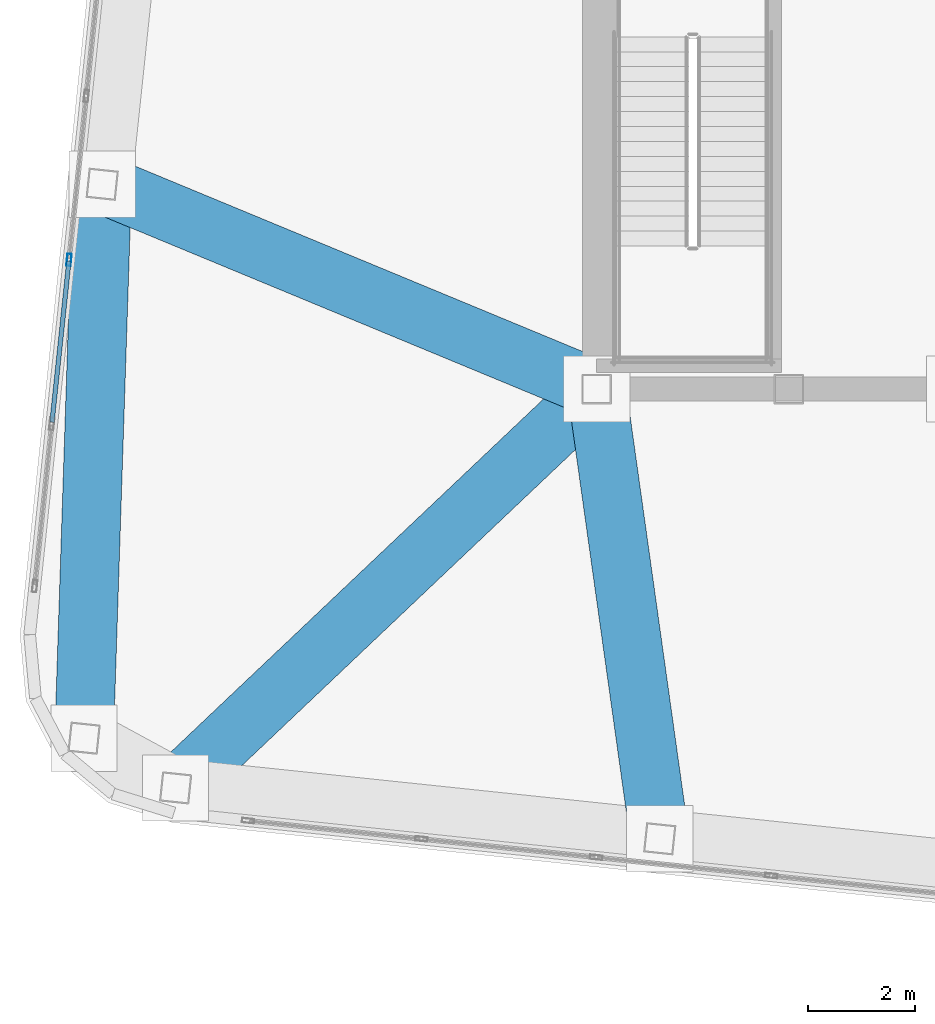
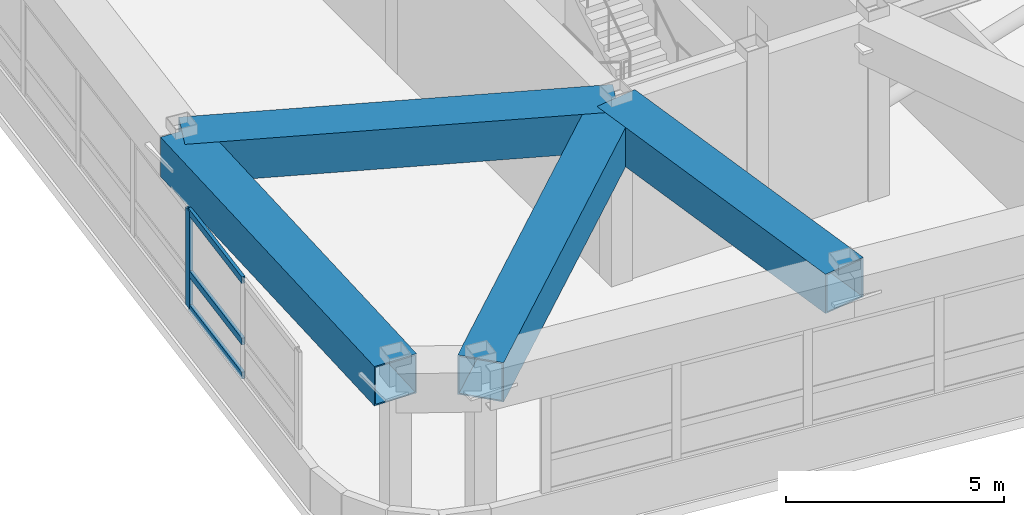
# One storey, part 3 of 23: 4 beams, 4 members, 1 element without a shape of its own.
"""IFC4 building model written with IfcOpenShell, lengths in metres."""

import ifcopenshell
import ifcopenshell.guid

model = None  # the IFC model being written
_history = None  # IfcOwnerHistory: only IFC2X3 demands one
_inside = {}  # id of a spatial element -> (the spatial element, [elements in it])
_under = {}  # id of a project, library or spatial element -> (it, [spatial elements below it])
_declared = {}  # id of a project -> (the project, [libraries it declares])
_typed = {}  # id of a type object -> (the type object, [elements of that type])
_made_of = {}  # id of a material, layer set ... -> (it, [elements and type objects made of it])


def new_model(schema):
    """Start an empty IFC model of exactly this schema.

    Asked for "IFC4X3", IfcOpenShell would pick the latest addendum, in which some entities
    have other attributes; the version numbers below select the first issue.
    IFC2X3 requires an IfcOwnerHistory on every rooted entity: one is made here for all.
    """
    global model, _history
    if schema == "IFC4X3":
        model = ifcopenshell.file(schema_version=(4, 3, 0, 0))
    else:
        model = ifcopenshell.file(schema=schema)
    _inside.clear()
    _under.clear()
    _declared.clear()
    _typed.clear()
    _made_of.clear()
    _history = None
    if model.schema == "IFC2X3":
        org = make("IfcOrganization", Name="unknown")
        user = make(
            "IfcPersonAndOrganization",
            ThePerson=make("IfcPerson", FamilyName="unknown"),
            TheOrganization=org,
        )
        app = make(
            "IfcApplication",
            ApplicationDeveloper=org,
            Version="unknown",
            ApplicationFullName="unknown",
            ApplicationIdentifier="unknown",
        )
        _history = make(
            "IfcOwnerHistory",
            OwningUser=user,
            OwningApplication=app,
            ChangeAction="ADDED",
            CreationDate=0,
        )
    return model


def make(cls, **values):
    """One entity of the class cls with the attributes given. An attribute that is None is left unset."""
    return model.create_entity(
        cls, **{name: value for name, value in values.items() if value is not None}
    )


def rooted(cls, **values):
    """An entity with a GlobalId (a new one), such as an element, a storey or a relation."""
    return make(cls, GlobalId=ifcopenshell.guid.new(), OwnerHistory=_history, **values)


def si_unit(unit_type, name, prefix=None):
    """IfcSIUnit, for example si_unit("LENGTHUNIT", "METRE", prefix="MILLI")."""
    return make("IfcSIUnit", UnitType=unit_type, Prefix=prefix, Name=name)


def assignment(units):
    """IfcUnitAssignment: the units of a project."""
    return None if units is None else make("IfcUnitAssignment", Units=units)


def point(xyz):
    """IfcCartesianPoint."""
    return None if xyz is None else make("IfcCartesianPoint", Coordinates=xyz)


def direction(xyz):
    """IfcDirection."""
    return None if xyz is None else make("IfcDirection", DirectionRatios=xyz)


def frame(location, z_axis=None, x_axis=None):
    """IfcAxis2Placement3D, a coordinate frame: its origin and axes. An axis left out is left unset."""
    return make(
        "IfcAxis2Placement3D",
        Location=point(location),
        Axis=direction(z_axis),
        RefDirection=direction(x_axis),
    )


def frame_2d(location, x_axis=None):
    """IfcAxis2Placement2D, a coordinate frame in the plane: its origin and x axis."""
    return make(
        "IfcAxis2Placement2D", Location=point(location), RefDirection=direction(x_axis)
    )


def origin():
    """The frame at (0, 0, 0) with its axes left unset."""
    return frame((0.0, 0.0, 0.0))


def origin_2d():
    """The frame at (0, 0) in the plane with its x axis left unset."""
    return frame_2d((0.0, 0.0))


def place(relative_to, where):
    """IfcLocalPlacement: puts the frame where relative to a parent placement (None: the world)."""
    return make(
        "IfcLocalPlacement", PlacementRelTo=relative_to, RelativePlacement=where
    )


def context(
    kind, dimensions, precision=None, world=None, true_north=None, identifier=None
):
    """IfcGeometricRepresentationContext, for example the 3D "Model" context."""
    return make(
        "IfcGeometricRepresentationContext",
        ContextIdentifier=identifier,
        ContextType=kind,
        CoordinateSpaceDimension=dimensions,
        Precision=precision,
        WorldCoordinateSystem=world,
        TrueNorth=true_north,
    )


def subcontext(parent, identifier, kind, view, scale=None):
    """IfcGeometricRepresentationSubContext, for example "Body" below "Model"."""
    return make(
        "IfcGeometricRepresentationSubContext",
        ContextIdentifier=identifier,
        ContextType=kind,
        ParentContext=parent,
        TargetScale=scale,
        TargetView=view,
    )


def project(units=None, contexts=None):
    """IfcProject with its units and contexts."""
    return rooted(
        "IfcProject",
        Name="project",
        RepresentationContexts=contexts,
        UnitsInContext=assignment(units),
    )


def spatial(cls, under=None, at=None, **own):
    """A site, building, storey or space (cls), placed at a placement, below another one or the project."""
    s = rooted(cls, ObjectPlacement=at, **own)
    if under is not None:
        _under.setdefault(under.id(), (under, []))[1].append(s)
    return s


def profile(cls, at=None, kind="AREA", **sizes):
    """A parametric profile (cls). Its sizes go by their IFC names, for example OverallWidth=200.0."""
    return make(cls, ProfileType=kind, Position=at, **sizes)


def hollow_rectangle(**sizes):
    """IfcRectangleHollowProfileDef."""
    return profile("IfcRectangleHollowProfileDef", **sizes)


def extrude(swept, where, along, depth):
    """IfcExtrudedAreaSolid: the profile swept, set in the frame where, extruded along a direction by depth."""
    return make(
        "IfcExtrudedAreaSolid",
        SweptArea=swept,
        Position=where,
        ExtrudedDirection=direction(along),
        Depth=depth,
    )


def shape(context_of_items, identifier, shape_type, items):
    """IfcShapeRepresentation: the items that make up one representation, for example the "Body"."""
    return make(
        "IfcShapeRepresentation",
        ContextOfItems=context_of_items,
        RepresentationIdentifier=identifier,
        RepresentationType=shape_type,
        Items=items,
    )


def material(Name=None, Category=None):
    """IfcMaterial."""
    return make("IfcMaterial", Name=Name, Category=Category)


def layer(
    of_material, thickness, ventilated=None, Name=None, Category=None, Priority=None
):
    """IfcMaterialLayer: one layer of a wall or slab, of a material (None: an air gap)."""
    return make(
        "IfcMaterialLayer",
        Material=of_material,
        LayerThickness=thickness,
        IsVentilated=ventilated,
        Name=Name,
        Category=Category,
        Priority=Priority,
    )


def layer_set(layers, Name=None):
    """IfcMaterialLayerSet."""
    return make("IfcMaterialLayerSet", MaterialLayers=layers, LayerSetName=Name)


def material_profile(
    of_material, cross_section, Name=None, Category=None, Priority=None
):
    """IfcMaterialProfile: a cross section and its material."""
    return make(
        "IfcMaterialProfile",
        Name=Name,
        Material=of_material,
        Profile=cross_section,
        Priority=Priority,
        Category=Category,
    )


def profile_set(profiles, Name=None, composite=None):
    """IfcMaterialProfileSet."""
    return make(
        "IfcMaterialProfileSet",
        Name=Name,
        MaterialProfiles=profiles,
        CompositeProfile=composite,
    )


def made_of(thing, what):
    """Note that an element or type object is made of a material, layer set ...; save() writes the relation."""
    if what is not None:
        _made_of.setdefault(what.id(), (what, []))[1].append(thing)
    return thing


def type_object(cls, material=None, **own):
    """A type object (cls), such as IfcWallType, which elements share."""
    return made_of(rooted(cls, **own), material)


def element(
    cls,
    number,
    at=None,
    inside=None,
    cuts=None,
    type_object=None,
    material=None,
    context=None,
    identifier="Body",
    shape_type=None,
    held_by="IfcProductDefinitionShape",
    body=None,
    shapes=None,
    **own,
):
    """One element of the class cls, such as IfcWall. Its Tag is "e" and its number.

    at: its placement. inside: the storey or other place that contains it. cuts: it is an
    opening in that element (IfcRelVoidsElement). A single representation is given by context,
    identifier, shape_type and body (its items); several are given by shapes. held_by: the class
    of the entity that holds the representations. save() writes the other relations.
    """
    e = rooted(cls, Tag="e%d" % number, ObjectPlacement=at, **own)
    if body is not None:
        shapes = [shape(context, identifier, shape_type, body)]
    if shapes is not None:
        e.Representation = make(held_by, Representations=shapes)
    if inside is not None:
        _inside.setdefault(inside.id(), (inside, []))[1].append(e)
    if cuts is not None:
        rooted(
            "IfcRelVoidsElement", RelatingBuildingElement=cuts, RelatedOpeningElement=e
        )
    if type_object is not None:
        _typed.setdefault(type_object.id(), (type_object, []))[1].append(e)
    return made_of(e, material)


def aggregate(whole, parts):
    """IfcRelAggregates: a whole, such as a stair, and the parts it consists of."""
    return rooted("IfcRelAggregates", RelatingObject=whole, RelatedObjects=parts)


def save(model, path):
    """Write the relations noted so far, then the file.

    IfcRelAggregates (storeys below a building ...), IfcRelContainedInSpatialStructure (elements
    in a storey), IfcRelDefinesByType, IfcRelAssociatesMaterial and IfcRelDeclares: one each for
    every whole, place, type object, material and project.
    """
    for whole, parts in _under.values():
        aggregate(whole, parts)
    for where, things in _inside.values():
        rooted(
            "IfcRelContainedInSpatialStructure",
            RelatedElements=things,
            RelatingStructure=where,
        )
    for kind, things in _typed.values():
        rooted("IfcRelDefinesByType", RelatedObjects=things, RelatingType=kind)
    for what, things in _made_of.values():
        rooted("IfcRelAssociatesMaterial", RelatedObjects=things, RelatingMaterial=what)
    for by, libraries in _declared.values():
        rooted("IfcRelDeclares", RelatingContext=by, RelatedDefinitions=libraries)
    model.write(path)


model = new_model("IFC4")

# Units and contexts
model_context = context("Model", 3, precision=1e-05, world=origin(), true_north=direction((0.0, 1.0)))
body_context = subcontext(model_context, "Body", "Model", "MODEL_VIEW")
ifc_project = project(units=[si_unit("LENGTHUNIT", "METRE"), si_unit("AREAUNIT", "SQUARE_METRE"), si_unit("VOLUMEUNIT", "CUBIC_METRE"), si_unit("PLANEANGLEUNIT", "RADIAN"), si_unit("MASSUNIT", "GRAM", prefix="KILO")], contexts=[model_context])

# Site, building, storey
site_placement = place(None, origin())
site = spatial("IfcSite", under=ifc_project, at=site_placement, CompositionType="ELEMENT")
building_placement = place(site_placement, origin())
building = spatial("IfcBuilding", under=site, at=building_placement, Name="Voryun Gate Residences", CompositionType="ELEMENT")
storey_placement = place(building_placement, frame((0.0, 0.0, 316.0)))
storey = spatial("IfcBuildingStorey", under=building, at=storey_placement, Name="L78", CompositionType="ELEMENT", Elevation=316.0)

# Beams
ifc_material_1 = material(Name="Steel SM420", Category="steel")
ifc_material_profile_1 = material_profile(ifc_material_1, hollow_rectangle(XDim=1.10009765625, YDim=1.10009765625, WallThickness=0.035888671875, at=origin_2d()), Name="BOX-1100x1100x36")
ifc_profile_set_1 = profile_set([ifc_material_profile_1], Name="Steel SM420")
beam_type = type_object("IfcBeamType", Name="BM_ARCH_RIB", PredefinedType="USERDEFINED", material=ifc_profile_set_1)
beam_1_placement = place(storey_placement, frame((-28.464111328125, -3.56201171875, 4.47509765625), z_axis=(-0.032704208853, -0.999465074289, 0.0), x_axis=(0.999465074289, -0.032704208853, 0.0)))
element("IfcBeam", 1, at=beam_1_placement, inside=storey, type_object=beam_type, Name="BM-L78-SPAND-19", ObjectType="GIRDER", PredefinedType="USERDEFINED", context=body_context, shape_type="SweptSolid", body=[
    extrude(hollow_rectangle(XDim=1.10009765625, YDim=1.10009765625, WallThickness=0.035888671875, at=origin_2d()), origin(), (0.0, 0.0, 1.0), 10.384033203125),
])
beam_2_placement = place(storey_placement, frame((-19.199951171875, -7.39990234375, 4.47509765625), z_axis=(-0.726024122139, -0.687669233042, 0.0), x_axis=(0.687669233042, -0.726024122139, 0.0)))
element("IfcBeam", 2, at=beam_2_placement, inside=storey, type_object=beam_type, Name="BM-L78-RAD-S1", ObjectType="GIRDER", PredefinedType="USERDEFINED", context=body_context, shape_type="SweptSolid", body=[
    extrude(hollow_rectangle(XDim=1.10009765625, YDim=1.10009765625, WallThickness=0.035888671875, at=origin_2d()), origin(), (0.0, 0.0, 1.0), 10.865478515625),
])
beam_3_placement = place(storey_placement, frame((-19.199951171875, -7.39990234375, 4.47509765625), z_axis=(0.138865687617, -0.990311224213, 0.0), x_axis=(0.990311224213, 0.138865687617, 0.0)))
element("IfcBeam", 3, at=beam_3_placement, inside=storey, type_object=beam_type, Name="BM-L78-RAD-S2", ObjectType="GIRDER", PredefinedType="USERDEFINED", context=body_context, shape_type="SweptSolid", body=[
    extrude(hollow_rectangle(XDim=1.10009765625, YDim=1.10009765625, WallThickness=0.035888671875, at=origin_2d()), origin(), (0.0, 0.0, 1.0), 8.507568359375),
])
beam_4_placement = place(storey_placement, frame((-19.199951171875, -7.39990234375, 4.47509765625), z_axis=(-0.923860145027, 0.382730234539, 0.0), x_axis=(-0.382730234539, -0.923860145027, 0.0)))
element("IfcBeam", 4, at=beam_4_placement, inside=storey, type_object=beam_type, Name="BM-L78-RAD-W2", ObjectType="GIRDER", PredefinedType="USERDEFINED", context=body_context, shape_type="SweptSolid", body=[
    extrude(hollow_rectangle(XDim=1.10009765625, YDim=1.10009765625, WallThickness=0.035888671875, at=origin_2d()), origin(), (0.0, 0.0, 1.0), 10.027587890625),
])

# Curtain wall, members
ifc_material_2 = material(Name="Anodised aluminium", Category="aluminium")
ifc_layer = layer(ifc_material_2, 0.22998046875, Name="CW_SYS_LANTERN_DARK_GLASS")
ifc_layer_set = layer_set([ifc_layer], Name="Anodised aluminium")
curtain_wall_type = type_object("IfcCurtainWallType", Name="CW_SYS_LANTERN_DARK_GLASS", PredefinedType="NOTDEFINED", material=ifc_layer_set)
curtain_wall_placement = place(storey_placement, origin())
curtain_wall = element("IfcCurtainWall", 5, at=curtain_wall_placement, inside=storey, type_object=curtain_wall_type, Name="Curtain wall CW6-L78-06", PredefinedType="NOTDEFINED")
ifc_material_3 = material(Name="Anodised aluminium", Category="aluminium")
ifc_material_profile_2 = material_profile(ifc_material_3, hollow_rectangle(XDim=0.0849609375, YDim=0.22998046875, WallThickness=0.006103515625, at=origin_2d()), Name="ALU-MULL-230x85x6")
ifc_profile_set_2 = profile_set([ifc_material_profile_2], Name="Anodised aluminium")
member_type_1 = type_object("IfcMemberType", Name="CW_MULL_LANT", PredefinedType="MULLION", material=ifc_profile_set_2)
member_1_placement = place(storey_placement, frame((-29.08544921875, -4.978515625, 1.18994140625), z_axis=(0.0, 0.0, 1.0), x_axis=(-0.994521943608, 0.104528004296, 0.0)))
member_1 = element("IfcMember", 6, at=member_1_placement, type_object=member_type_1, Name="CW6 mullion 3", PredefinedType="MULLION", context=body_context, shape_type="SweptSolid", body=[
    extrude(hollow_rectangle(XDim=0.0849609375, YDim=0.22998046875, WallThickness=0.006103515625, at=origin_2d()), origin(), (0.0, 0.0, 1.0), 2.72509765625),
])
ifc_material_4 = material(Name="Anodised aluminium", Category="aluminium")
ifc_material_profile_3 = material_profile(ifc_material_4, hollow_rectangle(XDim=0.0849609375, YDim=0.18994140625, WallThickness=0.006103515625, at=origin_2d()), Name="ALU-TRAN-190x85x6")
ifc_profile_set_3 = profile_set([ifc_material_profile_3], Name="Anodised aluminium")
member_type_2 = type_object("IfcMemberType", Name="CW_TRAN_LANT", PredefinedType="USERDEFINED", material=ifc_profile_set_3)
member_2_placement = place(storey_placement, frame((-29.405029296875, -8.01953125, 1.219970703125), z_axis=(0.104500100479, 0.994524876009, 0.0), x_axis=(-0.994524876009, 0.104500100479, 0.0)))
member_2 = element("IfcMember", 7, at=member_2_placement, type_object=member_type_2, Name="CW6 transom 2.1", ObjectType="TRANSOM", PredefinedType="USERDEFINED", context=body_context, shape_type="SweptSolid", body=[
    extrude(hollow_rectangle(XDim=0.0849609375, YDim=0.18994140625, WallThickness=0.006103515625, at=origin_2d()), origin(), (0.0, 0.0, 1.0), 3.02783203125),
])
member_3_placement = place(storey_placement, frame((-29.405029296875, -8.01953125, 2.1708984375), z_axis=(0.104500100479, 0.994524876009, 0.0), x_axis=(-0.994524876009, 0.104500100479, 0.0)))
member_3 = element("IfcMember", 8, at=member_3_placement, type_object=member_type_2, Name="CW6 transom 2.2", ObjectType="TRANSOM", PredefinedType="USERDEFINED", context=body_context, shape_type="SweptSolid", body=[
    extrude(hollow_rectangle(XDim=0.0849609375, YDim=0.18994140625, WallThickness=0.006103515625, at=origin_2d()), origin(), (0.0, 0.0, 1.0), 3.02783203125),
])
member_4_placement = place(storey_placement, frame((-29.405029296875, -8.01953125, 3.885009765625), z_axis=(0.104500100479, 0.994524876009, 0.0), x_axis=(-0.994524876009, 0.104500100479, 0.0)))
member_4 = element("IfcMember", 9, at=member_4_placement, type_object=member_type_2, Name="CW6 transom 2.3", ObjectType="TRANSOM", PredefinedType="USERDEFINED", context=body_context, shape_type="SweptSolid", body=[
    extrude(hollow_rectangle(XDim=0.0849609375, YDim=0.18994140625, WallThickness=0.006103515625, at=origin_2d()), origin(), (0.0, 0.0, 1.0), 3.02783203125),
])
aggregate(curtain_wall, [member_1, member_2, member_3, member_4])

save(model, "model.ifc")
